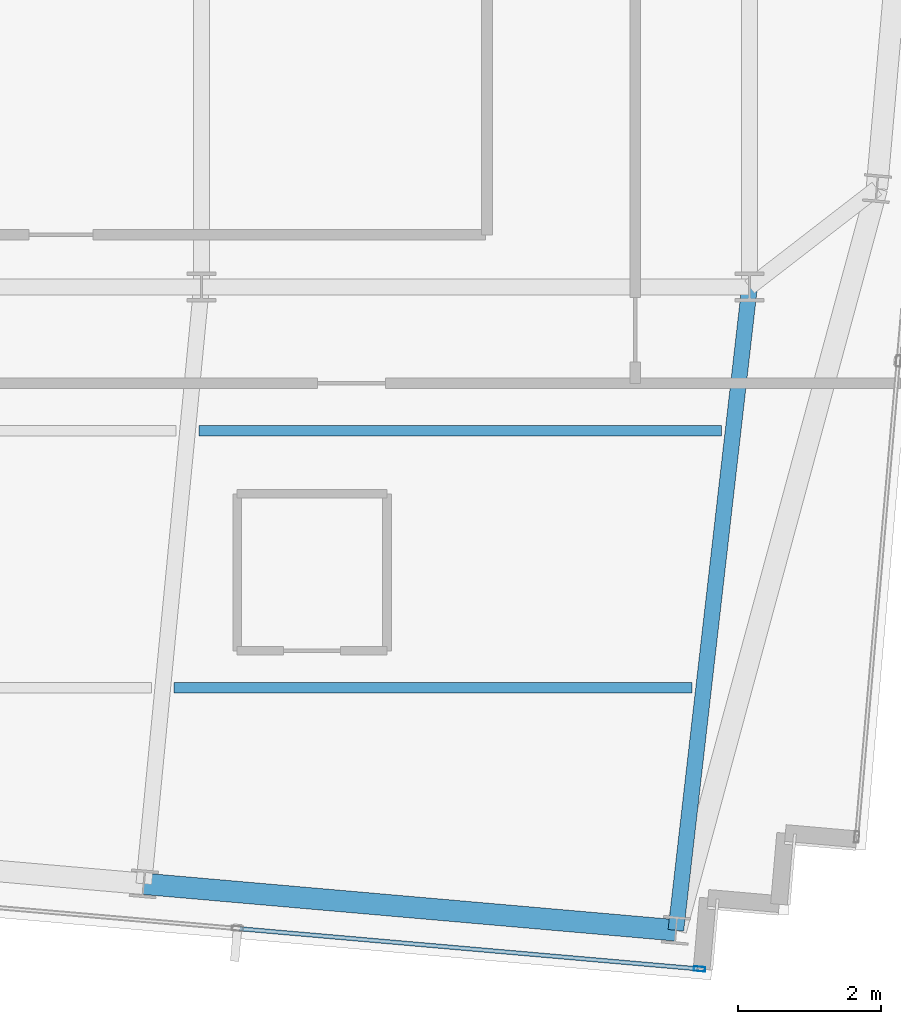
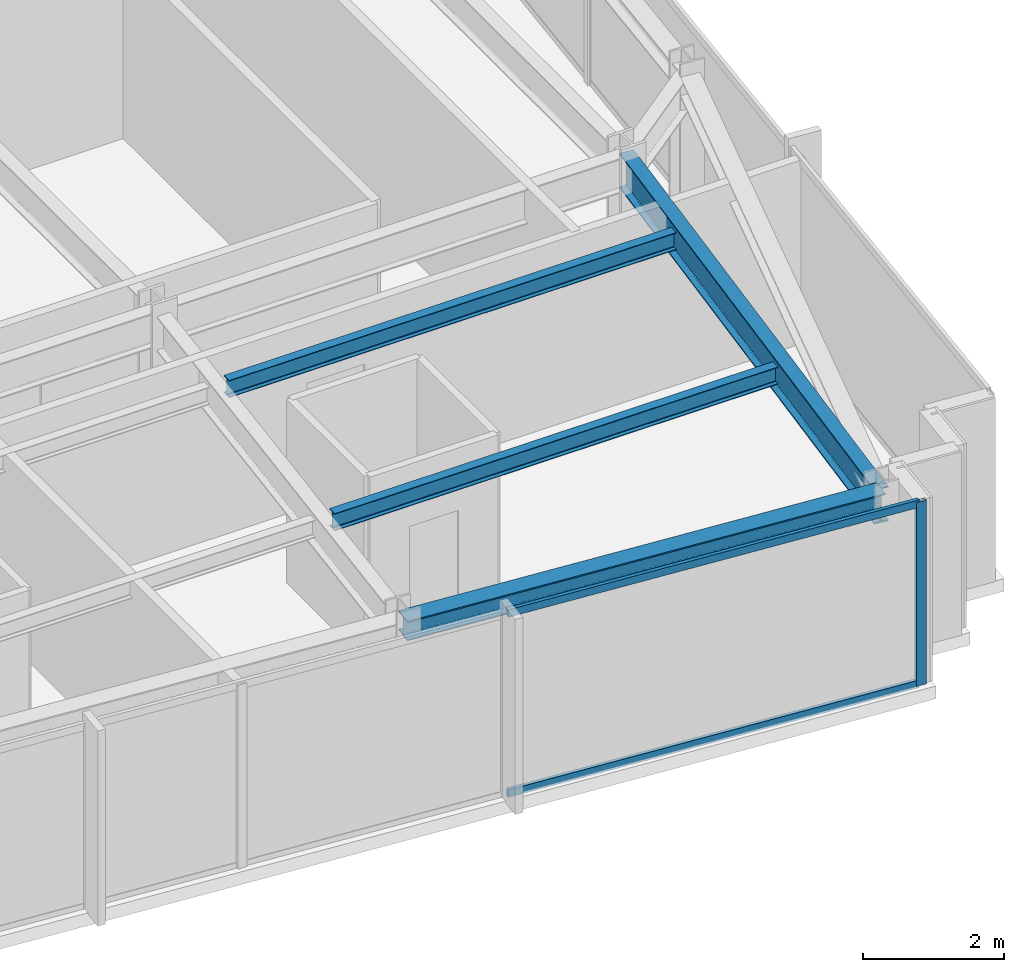
# One storey, part 14 of 33: 4 beams, 3 members, 1 element without a shape of its own.
"""IFC4 building model written with IfcOpenShell, lengths in metres."""

from ifc_helpers import new_model, si_unit, direction, frame, origin, origin_2d, place, context, subcontext, project, spatial, hollow_rectangle, i_section, extrude, material, material_profile, profile_set, type_object, element, aggregate, save


model = new_model("IFC4")

# Units and contexts
model_context = context("Model", 3, precision=1e-05, world=origin(), true_north=direction((0.0, 1.0)))
body_context = subcontext(model_context, "Body", "Model", "MODEL_VIEW")
ifc_project = project(units=[si_unit("LENGTHUNIT", "METRE"), si_unit("AREAUNIT", "SQUARE_METRE"), si_unit("VOLUMEUNIT", "CUBIC_METRE"), si_unit("PLANEANGLEUNIT", "RADIAN"), si_unit("MASSUNIT", "GRAM", prefix="KILO")], contexts=[model_context])

# Site, building, storey
site_placement = place(None, origin())
site = spatial("IfcSite", under=ifc_project, at=site_placement, CompositionType="ELEMENT")
building_placement = place(site_placement, origin())
building = spatial("IfcBuilding", under=site, at=building_placement, Name="Yelkora Congress Tower", CompositionType="ELEMENT")
storey_placement = place(building_placement, frame((0.0, 0.0, 286.300048828125)))
storey = spatial("IfcBuildingStorey", under=building, at=storey_placement, Name="L80", CompositionType="ELEMENT", Elevation=286.300048828125)

# Beams
ifc_material_1 = material(Name="Steel S355J2", Category="steel")
ifc_material_profile_1 = material_profile(ifc_material_1, i_section(OverallWidth=0.219970703125, OverallDepth=0.60009765625, WebThickness=0.011962890625, FlangeThickness=0.01904296875, FilletRadius=0.02392578125, at=origin_2d()), Name="IPE 600")
ifc_profile_set_1 = profile_set([ifc_material_profile_1], Name="Steel S355J2")
beam_type_1 = type_object("IfcBeamType", Name="BM-GIRD-IPE600", PredefinedType="BEAM", material=ifc_profile_set_1)
beam_1_placement = place(storey_placement, frame((52.727294921875, 16.1845703125, 2.8798828125), z_axis=(0.113806093355, 0.993502980929, 0.0), x_axis=(-0.993502980929, 0.113806093355, 0.0)))
element("IfcBeam", 1, at=beam_1_placement, inside=storey, type_object=beam_type_1, Name="L80 Primary Frame Girder S07", PredefinedType="BEAM", context=body_context, shape_type="SweptSolid", body=[
    extrude(i_section(OverallWidth=0.219970703125, OverallDepth=0.60009765625, WebThickness=0.011962890625, FlangeThickness=0.01904296875, FilletRadius=0.02392578125, at=origin_2d()), origin(), (0.0, 0.0, 1.0), 9.07421875),
])
ifc_material_profile_2 = material_profile(ifc_material_1, i_section(OverallWidth=0.14990234375, OverallDepth=0.300048828125, WebThickness=0.007080078125, FlangeThickness=0.0107421875, FilletRadius=0.014892578125, at=origin_2d()), Name="IPE 300")
ifc_profile_set_2 = profile_set([ifc_material_profile_2], Name="Steel S355J2")
beam_type_2 = type_object("IfcBeamType", Name="BM-JOIST-IPE300", PredefinedType="JOIST", material=ifc_profile_set_2)
beam_2_placement = place(storey_placement, frame((45.69775390625, 19.58447265625, 3.030029296875), z_axis=(1.0, 0.0, 0.0), x_axis=(0.0, 1.0, 0.0)))
element("IfcBeam", 2, at=beam_2_placement, inside=storey, type_object=beam_type_2, Name="L80 Composite Floor Joist 4", PredefinedType="JOIST", context=body_context, shape_type="SweptSolid", body=[
    extrude(i_section(OverallWidth=0.14990234375, OverallDepth=0.300048828125, WebThickness=0.007080078125, FlangeThickness=0.0107421875, FilletRadius=0.014892578125, at=origin_2d()), origin(), (0.0, 0.0, 1.0), 7.259033203125),
])
beam_3_placement = place(storey_placement, frame((46.04541015625, 23.1845703125, 3.030029296875), z_axis=(1.0, 0.0, 0.0), x_axis=(0.0, 1.0, 0.0)))
element("IfcBeam", 3, at=beam_3_placement, inside=storey, type_object=beam_type_2, Name="L80 Composite Floor Joist 8", PredefinedType="JOIST", context=body_context, shape_type="SweptSolid", body=[
    extrude(i_section(OverallWidth=0.14990234375, OverallDepth=0.300048828125, WebThickness=0.007080078125, FlangeThickness=0.0107421875, FilletRadius=0.014892578125, at=origin_2d()), origin(), (0.0, 0.0, 1.0), 7.32373046875),
])
ifc_material_profile_3 = material_profile(ifc_material_1, i_section(OverallWidth=0.300048828125, OverallDepth=0.340087890625, WebThickness=0.011962890625, FlangeThickness=0.021484375, FilletRadius=0.027099609375, at=origin_2d()), Name="HEB 340")
ifc_profile_set_3 = profile_set([ifc_material_profile_3], Name="Steel S355J2")
beam_type_3 = type_object("IfcBeamType", Name="BM-SPAN-HEB340", PredefinedType="SPANDREL", material=ifc_profile_set_3)
beam_4_placement = place(storey_placement, frame((45.2724609375, 16.836669921875, 3.010009765625), z_axis=(0.99619601894, -0.087140644067, 0.0), x_axis=(0.087140644067, 0.99619601894, 0.0)))
element("IfcBeam", 4, at=beam_4_placement, inside=storey, type_object=beam_type_3, Name="L80 Perimeter Beam 6", PredefinedType="SPANDREL", context=body_context, shape_type="SweptSolid", body=[
    extrude(i_section(OverallWidth=0.300048828125, OverallDepth=0.340087890625, WebThickness=0.011962890625, FlangeThickness=0.021484375, FilletRadius=0.027099609375, at=origin_2d()), origin(), (0.0, 0.0, 1.0), 7.4833984375),
])

# Curtain wall, members
ifc_material_2 = material(Name="Anodised aluminium and insulated glass", Category="aluminium")
curtain_wall_type = type_object("IfcCurtainWallType", Name="CW-SYS-B5", PredefinedType="NOTDEFINED", material=ifc_material_2)
curtain_wall_placement = place(storey_placement, origin())
curtain_wall = element("IfcCurtainWall", 5, at=curtain_wall_placement, inside=storey, type_object=curtain_wall_type, Name="L80 Unitised Curtain Wall 20", PredefinedType="NOTDEFINED")
ifc_material_3 = material(Name="Anodised aluminium 6063-T6", Category="aluminium")
ifc_material_profile_4 = material_profile(ifc_material_3, hollow_rectangle(XDim=0.06494140625, YDim=0.159912109375, WallThickness=0.00390625, at=origin_2d()), Name="ALU 65x160x4")
ifc_profile_set_4 = profile_set([ifc_material_profile_4], Name="Anodised aluminium 6063-T6")
member_type_1 = type_object("IfcMemberType", Name="MEM-ML-B5", PredefinedType="MULLION", material=ifc_profile_set_4)
member_1_placement = place(storey_placement, frame((53.058837890625, 15.6435546875, 0.0), z_axis=(0.0, 0.0, 1.0), x_axis=(-0.087156829793, -0.996194602987, 0.0)))
member_1 = element("IfcMember", 6, at=member_1_placement, type_object=member_type_1, Name="CW-B5 mullion 1", PredefinedType="MULLION", context=body_context, shape_type="SweptSolid", body=[
    extrude(hollow_rectangle(XDim=0.06494140625, YDim=0.159912109375, WallThickness=0.00390625, at=origin_2d()), origin(), (0.0, 0.0, 1.0), 3.179931640625),
])
ifc_material_profile_5 = material_profile(ifc_material_3, hollow_rectangle(XDim=0.06005859375, YDim=0.1298828125, WallThickness=0.00390625, at=origin_2d()), Name="ALU 60x130x4")
ifc_profile_set_5 = profile_set([ifc_material_profile_5], Name="Anodised aluminium 6063-T6")
member_type_2 = type_object("IfcMemberType", Name="MEM-TR-B5", PredefinedType="USERDEFINED", material=ifc_profile_set_5)
member_2_placement = place(storey_placement, frame((53.0263671875, 15.646484375, 0.030029296875), z_axis=(-0.996197464696, 0.087124114537, 0.0), x_axis=(-0.087124114537, -0.996197464696, 0.0)))
member_2 = element("IfcMember", 7, at=member_2_placement, type_object=member_type_2, Name="CW-B5 transom 1.1", ObjectType="TRANSOM", PredefinedType="USERDEFINED", context=body_context, shape_type="SweptSolid", body=[
    extrude(hollow_rectangle(XDim=0.06005859375, YDim=0.1298828125, WallThickness=0.00390625, at=origin_2d()), origin(), (0.0, 0.0, 1.0), 6.433837890625),
])
member_3_placement = place(storey_placement, frame((53.0263671875, 15.646484375, 3.14990234375), z_axis=(-0.996197464696, 0.087124114537, 0.0), x_axis=(-0.087124114537, -0.996197464696, 0.0)))
member_3 = element("IfcMember", 8, at=member_3_placement, type_object=member_type_2, Name="CW-B5 transom 1.2", ObjectType="TRANSOM", PredefinedType="USERDEFINED", context=body_context, shape_type="SweptSolid", body=[
    extrude(hollow_rectangle(XDim=0.06005859375, YDim=0.1298828125, WallThickness=0.00390625, at=origin_2d()), origin(), (0.0, 0.0, 1.0), 6.433837890625),
])
aggregate(curtain_wall, [member_1, member_2, member_3])

save(model, "model.ifc")
